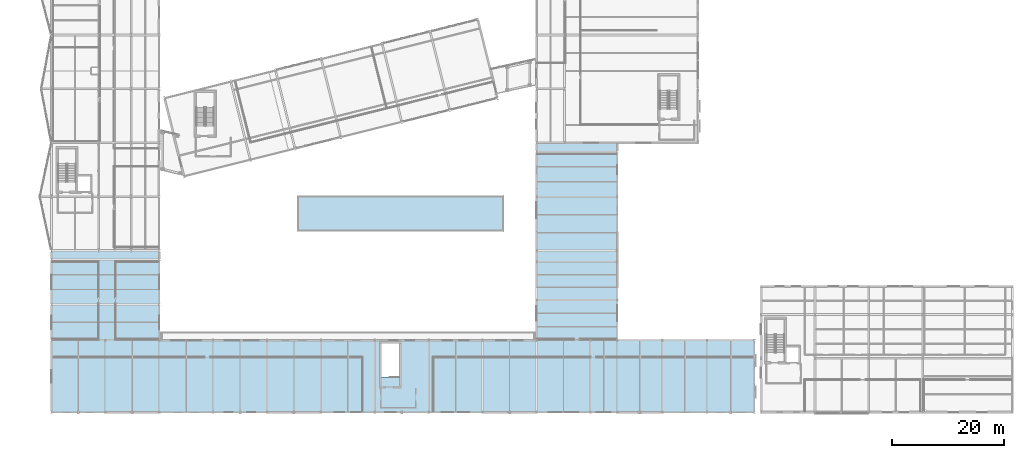
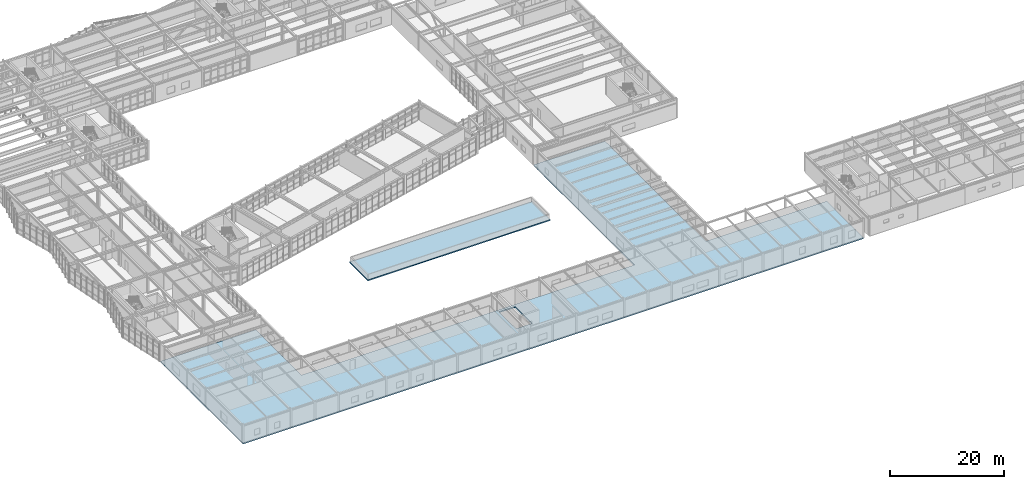
# One storey, part 62 of 99: 2 slabs.
"""IFC4 building model written with IfcOpenShell, lengths in metres."""

from ifc_helpers import new_model, si_unit, direction, frame, origin, place, context, subcontext, project, spatial, polyline, outline, extrude, material, layer, layer_set, type_object, element, save


model = new_model("IFC4")

# Units and contexts
model_context = context("Model", 3, precision=1e-05, world=origin(), true_north=direction((0.0, 1.0)))
body_context = subcontext(model_context, "Body", "Model", "MODEL_VIEW")
ifc_project = project(units=[si_unit("LENGTHUNIT", "METRE"), si_unit("AREAUNIT", "SQUARE_METRE"), si_unit("VOLUMEUNIT", "CUBIC_METRE"), si_unit("PLANEANGLEUNIT", "RADIAN"), si_unit("MASSUNIT", "GRAM", prefix="KILO")], contexts=[model_context])

# Site, building, storey
site_placement = place(None, origin())
site = spatial("IfcSite", under=ifc_project, at=site_placement, CompositionType="ELEMENT")
building_placement = place(site_placement, origin())
building = spatial("IfcBuilding", under=site, at=building_placement, Name="Nordkorset Police Headquarters", CompositionType="ELEMENT")
storey_placement = place(building_placement, frame((0.0, 0.0, 5.25)))
storey = spatial("IfcBuildingStorey", under=building, at=storey_placement, Name="L01", CompositionType="ELEMENT", Elevation=5.25)

# Slabs
ifc_material_1 = material(Name="Concrete C35/45", Category="concrete")
ifc_layer_1 = layer(ifc_material_1, 0.25, Name="Concrete C35/45")
ifc_layer_set_1 = layer_set([ifc_layer_1], Name="Concrete C35/45")
slab_type_1 = type_object("IfcSlabType", Name="Slab_Hall_250", PredefinedType="FLOOR", material=ifc_layer_set_1)
slab_1_placement = place(storey_placement, frame((0.0, 0.0, -0.25)))
element("IfcSlab", 1, at=slab_1_placement, inside=storey, type_object=slab_type_1, Name="Logistics Plinth Floor Slab V7 L01", PredefinedType="FLOOR", context=body_context, shape_type="SweptSolid", body=[
    extrude(outline(polyline([(0.0, 28.7900390625), (19.199951171875, 28.7900390625), (19.199951171875, 12.800048828125), (86.39990234375, 12.800048828125), (86.39990234375, 47.989990234375), (100.800048828125, 47.989990234375), (100.800048828125, 12.800048828125), (125.199951171875, 12.800048828125), (125.199951171875, 0.0), (0.0, 0.0), (0.0, 28.7900390625)]), holes=[polyline([(61.97509765625, 12.2548828125), (58.77490234375, 12.2548828125), (58.77490234375, 6.30810546875), (61.97509765625, 6.30810546875), (61.97509765625, 12.2548828125)])]), origin(), (0.0, 0.0, 1.0), 0.25),
])
ifc_material_2 = material(Name="Concrete C35/45", Category="concrete")
ifc_layer_2 = layer(ifc_material_2, 0.235107421875, Name="Concrete C35/45")
ifc_layer_set_2 = layer_set([ifc_layer_2], Name="Concrete C35/45")
slab_type_2 = type_object("IfcSlabType", Name="Slab_RoofFlat_235", PredefinedType="ROOF", material=ifc_layer_set_2)
slab_2_placement = place(storey_placement, frame((0.0, 0.0, -0.300048828125)))
element("IfcSlab", 2, at=slab_2_placement, inside=storey, type_object=slab_type_2, Name="Vehicle Ramp Portal Hood Roof Slab", PredefinedType="ROOF", context=body_context, shape_type="SweptSolid", body=[
    extrude(outline(polyline([(43.800048828125, 32.199951171875), (80.60009765625, 32.199951171875), (80.60009765625, 38.60009765625), (43.800048828125, 38.60009765625), (43.800048828125, 32.199951171875)])), origin(), (0.0, 0.0, 1.0), 0.235107421875),
])

save(model, "model.ifc")
